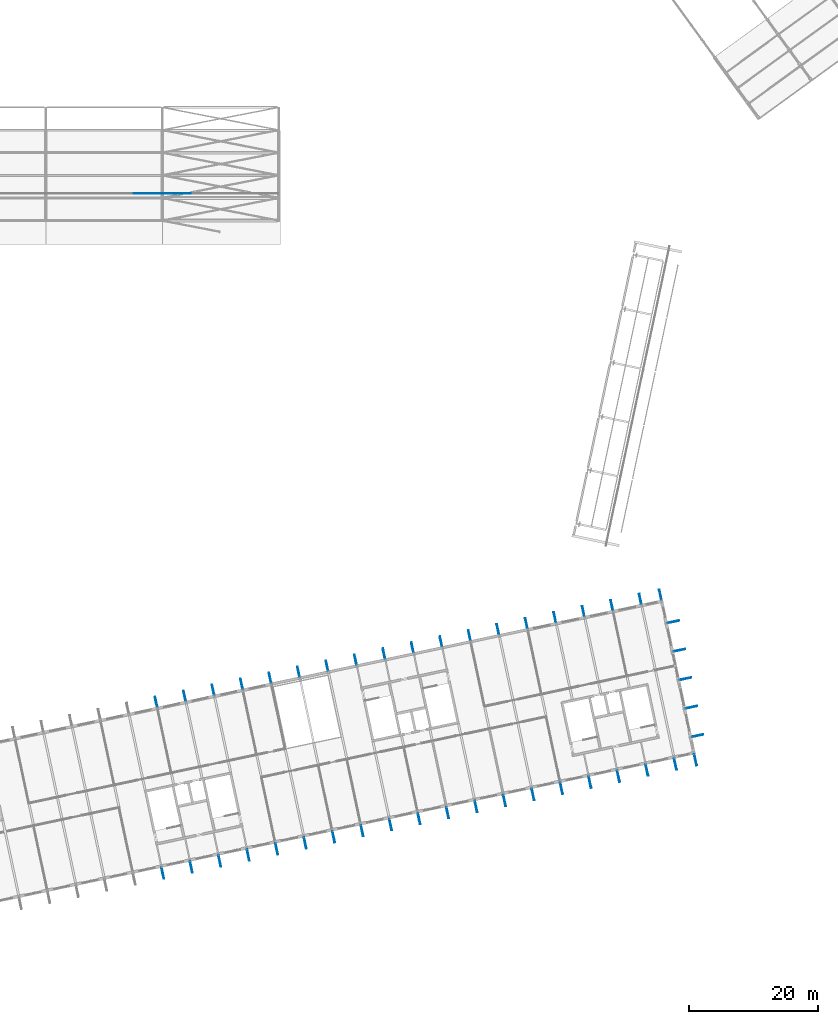
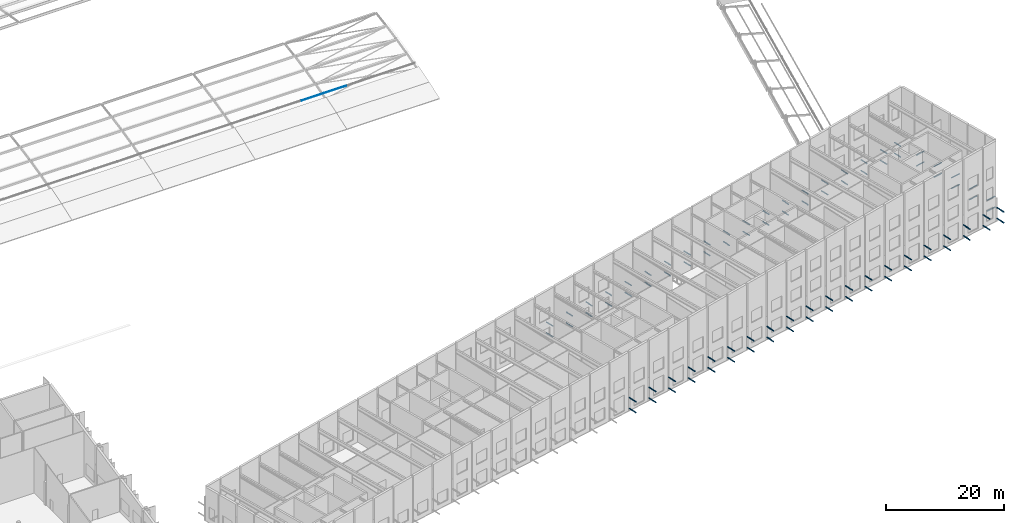
# One storey, part 53 of 69: 90 discrete accessories.
"""IFC4 building model written with IfcOpenShell, lengths in metres."""

from ifc_helpers import new_model, si_unit, direction, frame, origin, origin_2d, place, context, subcontext, project, spatial, polyline, rectangle, outline, extrude, material, material_profile, profile_set, type_object, element, save


model = new_model("IFC4")

# Units and contexts
model_context = context("Model", 3, precision=1e-05, world=origin(), true_north=direction((0.0, 1.0)))
body_context = subcontext(model_context, "Body", "Model", "MODEL_VIEW")
ifc_project = project(units=[si_unit("LENGTHUNIT", "METRE"), si_unit("AREAUNIT", "SQUARE_METRE"), si_unit("VOLUMEUNIT", "CUBIC_METRE"), si_unit("PLANEANGLEUNIT", "RADIAN"), si_unit("MASSUNIT", "GRAM", prefix="KILO")], contexts=[model_context])

# Site, building, storey
site_placement = place(None, origin())
site = spatial("IfcSite", under=ifc_project, at=site_placement, CompositionType="ELEMENT")
building_placement = place(site_placement, origin())
building = spatial("IfcBuilding", under=site, at=building_placement, Name="Okhra Congress Centre", CompositionType="ELEMENT")
storey_placement = place(building_placement, frame((0.0, 0.0, 16.800048828125)))
storey = spatial("IfcBuildingStorey", under=building, at=storey_placement, Name="L03", CompositionType="ELEMENT", Elevation=16.800048828125)

# Discrete accessories
ifc_material_1 = material(Name="Steel S355J2 outrigger, galvanised", Category="steel")
ifc_material_profile = material_profile(ifc_material_1, rectangle(XDim=0.1201171875, YDim=0.1201171875, at=origin_2d()), Name="Screen outrigger bracket 120x120")
ifc_profile_set = profile_set([ifc_material_profile], Name="Steel S355J2 outrigger, galvanised")
discrete_accessory_type_1 = type_object("IfcDiscreteAccessoryType", Name="Screen outrigger bracket 120x120", PredefinedType="BRACKET", material=ifc_profile_set)
for number, where, z_axis, x_axis, name in (
    (1, (135.885009765625, 42.499267578125, 0.510009765625), (0.207913352163, -0.978147247602, 0.0), (0.978147247602, 0.207913352163, 0.0), "Screen outrigger 283"),
    (2, (135.885009765625, 42.499267578125, 2.75), (0.207913352163, -0.978147247602, 0.0), (0.978147247602, 0.207913352163, 0.0), "Screen outrigger 284"),
    (3, (140.28662109375, 43.434814453125, 0.510009765625), (0.207913352163, -0.978147247602, 0.0), (0.978147247602, 0.207913352163, 0.0), "Screen outrigger 301"),
    (4, (140.28662109375, 43.434814453125, 2.75), (0.207913352163, -0.978147247602, 0.0), (0.978147247602, 0.207913352163, 0.0), "Screen outrigger 302"),
):
    element("IfcDiscreteAccessory", number, at=place(storey_placement, frame(where, z_axis=z_axis, x_axis=x_axis)), inside=storey, type_object=discrete_accessory_type_1, Name=name, PredefinedType="BRACKET", context=body_context, shape_type="SweptSolid", body=[
        extrude(rectangle(XDim=0.1201171875, YDim=0.1201171875, at=origin_2d()), origin(), (0.0, 0.0, 1.0), 1.764892578125),
    ])
for number, where, z_axis, x_axis, name in (
    (5, (135.205322265625, 67.3408203125, 0.510009765625), (-0.207952044176, 0.978139022493, 0.0), (-0.978139022493, -0.207952044176, 0.0), "Screen outrigger 310"),
    (6, (135.205322265625, 67.3408203125, 2.75), (-0.207952044176, 0.978139022493, 0.0), (-0.978139022493, -0.207952044176, 0.0), "Screen outrigger 311"),
):
    element("IfcDiscreteAccessory", number, at=place(storey_placement, frame(where, z_axis=z_axis, x_axis=x_axis)), inside=storey, type_object=discrete_accessory_type_1, Name=name, PredefinedType="BRACKET", context=body_context, shape_type="SweptSolid", body=[
        extrude(rectangle(XDim=0.1201171875, YDim=0.1201171875, at=origin_2d()), origin(), (0.0, 0.0, 1.0), 1.56494140625),
    ])
for number, where, z_axis, x_axis, name in (
    (7, (144.688232421875, 44.37060546875, 0.510009765625), (0.208017553693, -0.978125092897, 0.0), (0.978125092897, 0.208017553693, 0.0), "Screen outrigger 319"),
    (8, (144.688232421875, 44.37060546875, 2.75), (0.208017553693, -0.978125092897, 0.0), (0.978125092897, 0.208017553693, 0.0), "Screen outrigger 320"),
):
    element("IfcDiscreteAccessory", number, at=place(storey_placement, frame(where, z_axis=z_axis, x_axis=x_axis)), inside=storey, type_object=discrete_accessory_type_1, Name=name, PredefinedType="BRACKET", context=body_context, shape_type="SweptSolid", body=[
        extrude(rectangle(XDim=0.1201171875, YDim=0.1201171875, at=origin_2d()), origin(), (0.0, 0.0, 1.0), 1.76513671875),
    ])
for number, where, z_axis, x_axis, name in (
    (9, (139.60693359375, 68.2763671875, 0.510009765625), (-0.207952044176, 0.978139022493, 0.0), (-0.978139022493, -0.207952044176, 0.0), "Screen outrigger 329"),
    (10, (139.60693359375, 68.2763671875, 2.75), (-0.207952044176, 0.978139022493, 0.0), (-0.978139022493, -0.207952044176, 0.0), "Screen outrigger 330"),
):
    element("IfcDiscreteAccessory", number, at=place(storey_placement, frame(where, z_axis=z_axis, x_axis=x_axis)), inside=storey, type_object=discrete_accessory_type_1, Name=name, PredefinedType="BRACKET", context=body_context, shape_type="SweptSolid", body=[
        extrude(rectangle(XDim=0.1201171875, YDim=0.1201171875, at=origin_2d()), origin(), (0.0, 0.0, 1.0), 1.56494140625),
    ])
for number, where, z_axis, x_axis, name in (
    (11, (149.090087890625, 45.30615234375, 0.510009765625), (0.207885223274, -0.97815322621, 0.0), (0.97815322621, 0.207885223274, 0.0), "Screen outrigger 338"),
    (12, (149.090087890625, 45.30615234375, 2.75), (0.207885223274, -0.97815322621, 0.0), (0.97815322621, 0.207885223274, 0.0), "Screen outrigger 339"),
):
    element("IfcDiscreteAccessory", number, at=place(storey_placement, frame(where, z_axis=z_axis, x_axis=x_axis)), inside=storey, type_object=discrete_accessory_type_1, Name=name, PredefinedType="BRACKET", context=body_context, shape_type="SweptSolid", body=[
        extrude(rectangle(XDim=0.1201171875, YDim=0.1201171875, at=origin_2d()), origin(), (0.0, 0.0, 1.0), 1.76513671875),
    ])
for number, where, z_axis, x_axis, name in (
    (13, (144.008544921875, 69.2119140625, 0.510009765625), (-0.207771073578, 0.978177479287, 0.0), (-0.978177479287, -0.207771073578, 0.0), "Screen outrigger 348"),
    (14, (144.008544921875, 69.2119140625, 2.75), (-0.207771073578, 0.978177479287, 0.0), (-0.978177479287, -0.207771073578, 0.0), "Screen outrigger 349"),
):
    element("IfcDiscreteAccessory", number, at=place(storey_placement, frame(where, z_axis=z_axis, x_axis=x_axis)), inside=storey, type_object=discrete_accessory_type_1, Name=name, PredefinedType="BRACKET", context=body_context, shape_type="SweptSolid", body=[
        extrude(rectangle(XDim=0.1201171875, YDim=0.1201171875, at=origin_2d()), origin(), (0.0, 0.0, 1.0), 1.565185546875),
    ])
for number, where, z_axis, x_axis, name in (
    (15, (153.49169921875, 46.24169921875, 0.510009765625), (0.207913352163, -0.978147247602, 0.0), (0.978147247602, 0.207913352163, 0.0), "Screen outrigger 357"),
    (16, (153.49169921875, 46.24169921875, 2.75), (0.207913352163, -0.978147247602, 0.0), (0.978147247602, 0.207913352163, 0.0), "Screen outrigger 358"),
):
    element("IfcDiscreteAccessory", number, at=place(storey_placement, frame(where, z_axis=z_axis, x_axis=x_axis)), inside=storey, type_object=discrete_accessory_type_1, Name=name, PredefinedType="BRACKET", context=body_context, shape_type="SweptSolid", body=[
        extrude(rectangle(XDim=0.1201171875, YDim=0.1201171875, at=origin_2d()), origin(), (0.0, 0.0, 1.0), 1.764892578125),
    ])
for number, where, z_axis, x_axis, name in (
    (17, (148.410400390625, 70.147705078125, 0.510009765625), (-0.207952044176, 0.978139022493, 0.0), (-0.978139022493, -0.207952044176, 0.0), "Screen outrigger 367"),
    (18, (148.410400390625, 70.147705078125, 2.75), (-0.207952044176, 0.978139022493, 0.0), (-0.978139022493, -0.207952044176, 0.0), "Screen outrigger 368"),
):
    element("IfcDiscreteAccessory", number, at=place(storey_placement, frame(where, z_axis=z_axis, x_axis=x_axis)), inside=storey, type_object=discrete_accessory_type_1, Name=name, PredefinedType="BRACKET", context=body_context, shape_type="SweptSolid", body=[
        extrude(rectangle(XDim=0.1201171875, YDim=0.1201171875, at=origin_2d()), origin(), (0.0, 0.0, 1.0), 1.56494140625),
    ])
for number, where, z_axis, x_axis, name in (
    (19, (157.893310546875, 47.17724609375, 0.510009765625), (0.207913352163, -0.978147247602, 0.0), (0.978147247602, 0.207913352163, 0.0), "Screen outrigger 376"),
    (20, (157.893310546875, 47.17724609375, 2.75), (0.207913352163, -0.978147247602, 0.0), (0.978147247602, 0.207913352163, 0.0), "Screen outrigger 377"),
):
    element("IfcDiscreteAccessory", number, at=place(storey_placement, frame(where, z_axis=z_axis, x_axis=x_axis)), inside=storey, type_object=discrete_accessory_type_1, Name=name, PredefinedType="BRACKET", context=body_context, shape_type="SweptSolid", body=[
        extrude(rectangle(XDim=0.1201171875, YDim=0.1201171875, at=origin_2d()), origin(), (0.0, 0.0, 1.0), 1.764892578125),
    ])
for number, where, z_axis, x_axis, name in (
    (21, (152.81201171875, 71.083251953125, 0.510009765625), (-0.207952044176, 0.978139022493, 0.0), (-0.978139022493, -0.207952044176, 0.0), "Screen outrigger 386"),
    (22, (152.81201171875, 71.083251953125, 2.75), (-0.207952044176, 0.978139022493, 0.0), (-0.978139022493, -0.207952044176, 0.0), "Screen outrigger 387"),
):
    element("IfcDiscreteAccessory", number, at=place(storey_placement, frame(where, z_axis=z_axis, x_axis=x_axis)), inside=storey, type_object=discrete_accessory_type_1, Name=name, PredefinedType="BRACKET", context=body_context, shape_type="SweptSolid", body=[
        extrude(rectangle(XDim=0.1201171875, YDim=0.1201171875, at=origin_2d()), origin(), (0.0, 0.0, 1.0), 1.56494140625),
    ])
for number, where, z_axis, x_axis, name in (
    (23, (162.294921875, 48.11279296875, 0.510009765625), (0.207913352163, -0.978147247602, 0.0), (0.978147247602, 0.207913352163, 0.0), "Screen outrigger 395"),
    (24, (162.294921875, 48.11279296875, 2.75), (0.207913352163, -0.978147247602, 0.0), (0.978147247602, 0.207913352163, 0.0), "Screen outrigger 396"),
):
    element("IfcDiscreteAccessory", number, at=place(storey_placement, frame(where, z_axis=z_axis, x_axis=x_axis)), inside=storey, type_object=discrete_accessory_type_1, Name=name, PredefinedType="BRACKET", context=body_context, shape_type="SweptSolid", body=[
        extrude(rectangle(XDim=0.1201171875, YDim=0.1201171875, at=origin_2d()), origin(), (0.0, 0.0, 1.0), 1.764892578125),
    ])
for number, where, z_axis, x_axis, name in (
    (25, (157.213623046875, 72.018798828125, 0.510009765625), (-0.207952044176, 0.978139022493, 0.0), (-0.978139022493, -0.207952044176, 0.0), "Screen outrigger 405"),
    (26, (157.213623046875, 72.018798828125, 2.75), (-0.207952044176, 0.978139022493, 0.0), (-0.978139022493, -0.207952044176, 0.0), "Screen outrigger 406"),
):
    element("IfcDiscreteAccessory", number, at=place(storey_placement, frame(where, z_axis=z_axis, x_axis=x_axis)), inside=storey, type_object=discrete_accessory_type_1, Name=name, PredefinedType="BRACKET", context=body_context, shape_type="SweptSolid", body=[
        extrude(rectangle(XDim=0.1201171875, YDim=0.1201171875, at=origin_2d()), origin(), (0.0, 0.0, 1.0), 1.56494140625),
    ])
for number, where, z_axis, x_axis, name in (
    (27, (166.69677734375, 49.048583984375, 0.510009765625), (0.207885223274, -0.97815322621, 0.0), (0.97815322621, 0.207885223274, 0.0), "Screen outrigger 414"),
    (28, (166.69677734375, 49.048583984375, 2.75), (0.207885223274, -0.97815322621, 0.0), (0.97815322621, 0.207885223274, 0.0), "Screen outrigger 415"),
):
    element("IfcDiscreteAccessory", number, at=place(storey_placement, frame(where, z_axis=z_axis, x_axis=x_axis)), inside=storey, type_object=discrete_accessory_type_1, Name=name, PredefinedType="BRACKET", context=body_context, shape_type="SweptSolid", body=[
        extrude(rectangle(XDim=0.1201171875, YDim=0.1201171875, at=origin_2d()), origin(), (0.0, 0.0, 1.0), 1.76513671875),
    ])
for number, where, z_axis, x_axis, name in (
    (29, (161.615234375, 72.954345703125, 0.510009765625), (-0.207771073578, 0.978177479287, 0.0), (-0.978177479287, -0.207771073578, 0.0), "Screen outrigger 424"),
    (30, (161.615234375, 72.954345703125, 2.75), (-0.207771073578, 0.978177479287, 0.0), (-0.978177479287, -0.207771073578, 0.0), "Screen outrigger 425"),
):
    element("IfcDiscreteAccessory", number, at=place(storey_placement, frame(where, z_axis=z_axis, x_axis=x_axis)), inside=storey, type_object=discrete_accessory_type_1, Name=name, PredefinedType="BRACKET", context=body_context, shape_type="SweptSolid", body=[
        extrude(rectangle(XDim=0.1201171875, YDim=0.1201171875, at=origin_2d()), origin(), (0.0, 0.0, 1.0), 1.565185546875),
    ])
for number, where, z_axis, x_axis, name in (
    (31, (171.098388671875, 49.984130859375, 0.510009765625), (0.207885223274, -0.97815322621, 0.0), (0.97815322621, 0.207885223274, 0.0), "Screen outrigger 433"),
    (32, (171.098388671875, 49.984130859375, 2.75), (0.207885223274, -0.97815322621, 0.0), (0.97815322621, 0.207885223274, 0.0), "Screen outrigger 434"),
):
    element("IfcDiscreteAccessory", number, at=place(storey_placement, frame(where, z_axis=z_axis, x_axis=x_axis)), inside=storey, type_object=discrete_accessory_type_1, Name=name, PredefinedType="BRACKET", context=body_context, shape_type="SweptSolid", body=[
        extrude(rectangle(XDim=0.1201171875, YDim=0.1201171875, at=origin_2d()), origin(), (0.0, 0.0, 1.0), 1.76513671875),
    ])
for number, where, z_axis, x_axis, name in (
    (33, (166.01708984375, 73.89013671875, 0.510009765625), (-0.207952044176, 0.978139022493, 0.0), (-0.978139022493, -0.207952044176, 0.0), "Screen outrigger 443"),
    (34, (166.01708984375, 73.89013671875, 2.75), (-0.207952044176, 0.978139022493, 0.0), (-0.978139022493, -0.207952044176, 0.0), "Screen outrigger 444"),
):
    element("IfcDiscreteAccessory", number, at=place(storey_placement, frame(where, z_axis=z_axis, x_axis=x_axis)), inside=storey, type_object=discrete_accessory_type_1, Name=name, PredefinedType="BRACKET", context=body_context, shape_type="SweptSolid", body=[
        extrude(rectangle(XDim=0.1201171875, YDim=0.1201171875, at=origin_2d()), origin(), (0.0, 0.0, 1.0), 1.56494140625),
    ])
for number, where, z_axis, x_axis, name in (
    (35, (175.5, 50.919677734375, 0.510009765625), (0.207913352163, -0.978147247602, 0.0), (0.978147247602, 0.207913352163, 0.0), "Screen outrigger 453"),
    (36, (175.5, 50.919677734375, 2.75), (0.207913352163, -0.978147247602, 0.0), (0.978147247602, 0.207913352163, 0.0), "Screen outrigger 454"),
):
    element("IfcDiscreteAccessory", number, at=place(storey_placement, frame(where, z_axis=z_axis, x_axis=x_axis)), inside=storey, type_object=discrete_accessory_type_1, Name=name, PredefinedType="BRACKET", context=body_context, shape_type="SweptSolid", body=[
        extrude(rectangle(XDim=0.1201171875, YDim=0.1201171875, at=origin_2d()), origin(), (0.0, 0.0, 1.0), 1.764892578125),
    ])
for number, where, z_axis, x_axis, name in (
    (37, (170.418701171875, 74.82568359375, 0.510009765625), (-0.207952044176, 0.978139022493, 0.0), (-0.978139022493, -0.207952044176, 0.0), "Screen outrigger 463"),
    (38, (170.418701171875, 74.82568359375, 2.75), (-0.207952044176, 0.978139022493, 0.0), (-0.978139022493, -0.207952044176, 0.0), "Screen outrigger 464"),
):
    element("IfcDiscreteAccessory", number, at=place(storey_placement, frame(where, z_axis=z_axis, x_axis=x_axis)), inside=storey, type_object=discrete_accessory_type_1, Name=name, PredefinedType="BRACKET", context=body_context, shape_type="SweptSolid", body=[
        extrude(rectangle(XDim=0.1201171875, YDim=0.1201171875, at=origin_2d()), origin(), (0.0, 0.0, 1.0), 1.56494140625),
    ])
for number, where, z_axis, x_axis, name in (
    (39, (179.901611328125, 51.855224609375, 0.510009765625), (0.207913352163, -0.978147247602, 0.0), (0.978147247602, 0.207913352163, 0.0), "Screen outrigger 473"),
    (40, (179.901611328125, 51.855224609375, 2.75), (0.207913352163, -0.978147247602, 0.0), (0.978147247602, 0.207913352163, 0.0), "Screen outrigger 474"),
):
    element("IfcDiscreteAccessory", number, at=place(storey_placement, frame(where, z_axis=z_axis, x_axis=x_axis)), inside=storey, type_object=discrete_accessory_type_1, Name=name, PredefinedType="BRACKET", context=body_context, shape_type="SweptSolid", body=[
        extrude(rectangle(XDim=0.1201171875, YDim=0.1201171875, at=origin_2d()), origin(), (0.0, 0.0, 1.0), 1.764892578125),
    ])
for number, where, z_axis, x_axis, name in (
    (41, (174.8203125, 75.76123046875, 0.510009765625), (-0.207952044176, 0.978139022493, 0.0), (-0.978139022493, -0.207952044176, 0.0), "Screen outrigger 483"),
    (42, (174.8203125, 75.76123046875, 2.75), (-0.207952044176, 0.978139022493, 0.0), (-0.978139022493, -0.207952044176, 0.0), "Screen outrigger 484"),
):
    element("IfcDiscreteAccessory", number, at=place(storey_placement, frame(where, z_axis=z_axis, x_axis=x_axis)), inside=storey, type_object=discrete_accessory_type_1, Name=name, PredefinedType="BRACKET", context=body_context, shape_type="SweptSolid", body=[
        extrude(rectangle(XDim=0.1201171875, YDim=0.1201171875, at=origin_2d()), origin(), (0.0, 0.0, 1.0), 1.56494140625),
    ])
for number, where, z_axis, x_axis, name in (
    (43, (184.30322265625, 52.791015625, 0.510009765625), (0.208017553693, -0.978125092897, 0.0), (0.978125092897, 0.208017553693, 0.0), "Screen outrigger 493"),
    (44, (184.30322265625, 52.791015625, 2.75), (0.208017553693, -0.978125092897, 0.0), (0.978125092897, 0.208017553693, 0.0), "Screen outrigger 494"),
):
    element("IfcDiscreteAccessory", number, at=place(storey_placement, frame(where, z_axis=z_axis, x_axis=x_axis)), inside=storey, type_object=discrete_accessory_type_1, Name=name, PredefinedType="BRACKET", context=body_context, shape_type="SweptSolid", body=[
        extrude(rectangle(XDim=0.1201171875, YDim=0.1201171875, at=origin_2d()), origin(), (0.0, 0.0, 1.0), 1.76513671875),
    ])
for number, where, z_axis, x_axis, name in (
    (45, (179.221923828125, 76.69677734375, 0.510009765625), (-0.207952044176, 0.978139022493, 0.0), (-0.978139022493, -0.207952044176, 0.0), "Screen outrigger 504"),
    (46, (179.221923828125, 76.69677734375, 2.75), (-0.207952044176, 0.978139022493, 0.0), (-0.978139022493, -0.207952044176, 0.0), "Screen outrigger 505"),
):
    element("IfcDiscreteAccessory", number, at=place(storey_placement, frame(where, z_axis=z_axis, x_axis=x_axis)), inside=storey, type_object=discrete_accessory_type_1, Name=name, PredefinedType="BRACKET", context=body_context, shape_type="SweptSolid", body=[
        extrude(rectangle(XDim=0.1201171875, YDim=0.1201171875, at=origin_2d()), origin(), (0.0, 0.0, 1.0), 1.56494140625),
    ])
for number, where, z_axis, x_axis, name in (
    (47, (188.705078125, 53.7265625, 0.510009765625), (0.207885223274, -0.97815322621, 0.0), (0.97815322621, 0.207885223274, 0.0), "Screen outrigger 514"),
    (48, (188.705078125, 53.7265625, 2.75), (0.207885223274, -0.97815322621, 0.0), (0.97815322621, 0.207885223274, 0.0), "Screen outrigger 515"),
):
    element("IfcDiscreteAccessory", number, at=place(storey_placement, frame(where, z_axis=z_axis, x_axis=x_axis)), inside=storey, type_object=discrete_accessory_type_1, Name=name, PredefinedType="BRACKET", context=body_context, shape_type="SweptSolid", body=[
        extrude(rectangle(XDim=0.1201171875, YDim=0.1201171875, at=origin_2d()), origin(), (0.0, 0.0, 1.0), 1.76513671875),
    ])
for number, where, z_axis, x_axis, name in (
    (49, (183.62353515625, 77.632568359375, 0.510009765625), (-0.207802780084, 0.978170744088, 0.0), (-0.978170744088, -0.207802780084, 0.0), "Screen outrigger 525"),
    (50, (183.62353515625, 77.632568359375, 2.75), (-0.207802780084, 0.978170744088, 0.0), (-0.978170744088, -0.207802780084, 0.0), "Screen outrigger 526"),
):
    element("IfcDiscreteAccessory", number, at=place(storey_placement, frame(where, z_axis=z_axis, x_axis=x_axis)), inside=storey, type_object=discrete_accessory_type_1, Name=name, PredefinedType="BRACKET", context=body_context, shape_type="SweptSolid", body=[
        extrude(rectangle(XDim=0.1201171875, YDim=0.1201171875, at=origin_2d()), origin(), (0.0, 0.0, 1.0), 1.56494140625),
    ])
for number, where, z_axis, x_axis, name in (
    (51, (193.106689453125, 54.662109375, 0.510009765625), (0.207913352163, -0.978147247602, 0.0), (0.978147247602, 0.207913352163, 0.0), "Screen outrigger 535"),
    (52, (193.106689453125, 54.662109375, 2.75), (0.207913352163, -0.978147247602, 0.0), (0.978147247602, 0.207913352163, 0.0), "Screen outrigger 536"),
):
    element("IfcDiscreteAccessory", number, at=place(storey_placement, frame(where, z_axis=z_axis, x_axis=x_axis)), inside=storey, type_object=discrete_accessory_type_1, Name=name, PredefinedType="BRACKET", context=body_context, shape_type="SweptSolid", body=[
        extrude(rectangle(XDim=0.1201171875, YDim=0.1201171875, at=origin_2d()), origin(), (0.0, 0.0, 1.0), 1.764892578125),
    ])
for number, where, z_axis, x_axis, name in (
    (53, (188.025390625, 78.568115234375, 0.510009765625), (-0.207952044176, 0.978139022493, 0.0), (-0.978139022493, -0.207952044176, 0.0), "Screen outrigger 546"),
    (54, (188.025390625, 78.568115234375, 2.75), (-0.207952044176, 0.978139022493, 0.0), (-0.978139022493, -0.207952044176, 0.0), "Screen outrigger 547"),
):
    element("IfcDiscreteAccessory", number, at=place(storey_placement, frame(where, z_axis=z_axis, x_axis=x_axis)), inside=storey, type_object=discrete_accessory_type_1, Name=name, PredefinedType="BRACKET", context=body_context, shape_type="SweptSolid", body=[
        extrude(rectangle(XDim=0.1201171875, YDim=0.1201171875, at=origin_2d()), origin(), (0.0, 0.0, 1.0), 1.56494140625),
    ])
for number, where, z_axis, x_axis, name in (
    (55, (197.50830078125, 55.59765625, 0.510009765625), (0.207913352163, -0.978147247602, 0.0), (0.978147247602, 0.207913352163, 0.0), "Screen outrigger 556"),
    (56, (197.50830078125, 55.59765625, 2.75), (0.207913352163, -0.978147247602, 0.0), (0.978147247602, 0.207913352163, 0.0), "Screen outrigger 557"),
):
    element("IfcDiscreteAccessory", number, at=place(storey_placement, frame(where, z_axis=z_axis, x_axis=x_axis)), inside=storey, type_object=discrete_accessory_type_1, Name=name, PredefinedType="BRACKET", context=body_context, shape_type="SweptSolid", body=[
        extrude(rectangle(XDim=0.1201171875, YDim=0.1201171875, at=origin_2d()), origin(), (0.0, 0.0, 1.0), 1.764892578125),
    ])
for number, where, z_axis, x_axis, name in (
    (57, (192.427001953125, 79.503662109375, 0.510009765625), (-0.207952044176, 0.978139022493, 0.0), (-0.978139022493, -0.207952044176, 0.0), "Screen outrigger 567"),
    (58, (192.427001953125, 79.503662109375, 2.75), (-0.207952044176, 0.978139022493, 0.0), (-0.978139022493, -0.207952044176, 0.0), "Screen outrigger 568"),
):
    element("IfcDiscreteAccessory", number, at=place(storey_placement, frame(where, z_axis=z_axis, x_axis=x_axis)), inside=storey, type_object=discrete_accessory_type_1, Name=name, PredefinedType="BRACKET", context=body_context, shape_type="SweptSolid", body=[
        extrude(rectangle(XDim=0.1201171875, YDim=0.1201171875, at=origin_2d()), origin(), (0.0, 0.0, 1.0), 1.56494140625),
    ])
for number, where, z_axis, x_axis, name in (
    (59, (201.909912109375, 56.533447265625, 0.510009765625), (0.207885223274, -0.97815322621, 0.0), (0.97815322621, 0.207885223274, 0.0), "Screen outrigger 577"),
    (60, (201.909912109375, 56.533447265625, 2.75), (0.207885223274, -0.97815322621, 0.0), (0.97815322621, 0.207885223274, 0.0), "Screen outrigger 578"),
):
    element("IfcDiscreteAccessory", number, at=place(storey_placement, frame(where, z_axis=z_axis, x_axis=x_axis)), inside=storey, type_object=discrete_accessory_type_1, Name=name, PredefinedType="BRACKET", context=body_context, shape_type="SweptSolid", body=[
        extrude(rectangle(XDim=0.1201171875, YDim=0.1201171875, at=origin_2d()), origin(), (0.0, 0.0, 1.0), 1.76513671875),
    ])
for number, where, z_axis, x_axis, name in (
    (61, (196.82861328125, 80.439208984375, 0.510009765625), (-0.207952044176, 0.978139022493, 0.0), (-0.978139022493, -0.207952044176, 0.0), "Screen outrigger 588"),
    (62, (196.82861328125, 80.439208984375, 2.75), (-0.207952044176, 0.978139022493, 0.0), (-0.978139022493, -0.207952044176, 0.0), "Screen outrigger 589"),
):
    element("IfcDiscreteAccessory", number, at=place(storey_placement, frame(where, z_axis=z_axis, x_axis=x_axis)), inside=storey, type_object=discrete_accessory_type_1, Name=name, PredefinedType="BRACKET", context=body_context, shape_type="SweptSolid", body=[
        extrude(rectangle(XDim=0.1201171875, YDim=0.1201171875, at=origin_2d()), origin(), (0.0, 0.0, 1.0), 1.56494140625),
    ])
for number, where, z_axis, x_axis, name in (
    (63, (206.311767578125, 57.468994140625, 0.510009765625), (0.207885223274, -0.97815322621, 0.0), (0.97815322621, 0.207885223274, 0.0), "Screen outrigger 598"),
    (64, (206.311767578125, 57.468994140625, 2.75), (0.207885223274, -0.97815322621, 0.0), (0.97815322621, 0.207885223274, 0.0), "Screen outrigger 599"),
):
    element("IfcDiscreteAccessory", number, at=place(storey_placement, frame(where, z_axis=z_axis, x_axis=x_axis)), inside=storey, type_object=discrete_accessory_type_1, Name=name, PredefinedType="BRACKET", context=body_context, shape_type="SweptSolid", body=[
        extrude(rectangle(XDim=0.1201171875, YDim=0.1201171875, at=origin_2d()), origin(), (0.0, 0.0, 1.0), 1.76513671875),
    ])
for number, where, z_axis, x_axis, name in (
    (65, (201.230224609375, 81.374755859375, 0.510009765625), (-0.207920316953, 0.978145767152, 0.0), (-0.978145767152, -0.207920316953, 0.0), "Screen outrigger 609"),
    (66, (201.230224609375, 81.374755859375, 2.75), (-0.207920316953, 0.978145767152, 0.0), (-0.978145767152, -0.207920316953, 0.0), "Screen outrigger 610"),
):
    element("IfcDiscreteAccessory", number, at=place(storey_placement, frame(where, z_axis=z_axis, x_axis=x_axis)), inside=storey, type_object=discrete_accessory_type_1, Name=name, PredefinedType="BRACKET", context=body_context, shape_type="SweptSolid", body=[
        extrude(rectangle(XDim=0.1201171875, YDim=0.1201171875, at=origin_2d()), origin(), (0.0, 0.0, 1.0), 1.565185546875),
    ])
for number, where, z_axis, x_axis, name in (
    (67, (210.71337890625, 58.404541015625, 0.510009765625), (0.207913352163, -0.978147247602, 0.0), (0.978147247602, 0.207913352163, 0.0), "Screen outrigger 620"),
    (68, (210.71337890625, 58.404541015625, 2.75), (0.207913352163, -0.978147247602, 0.0), (0.978147247602, 0.207913352163, 0.0), "Screen outrigger 621"),
):
    element("IfcDiscreteAccessory", number, at=place(storey_placement, frame(where, z_axis=z_axis, x_axis=x_axis)), inside=storey, type_object=discrete_accessory_type_1, Name=name, PredefinedType="BRACKET", context=body_context, shape_type="SweptSolid", body=[
        extrude(rectangle(XDim=0.1201171875, YDim=0.1201171875, at=origin_2d()), origin(), (0.0, 0.0, 1.0), 1.764892578125),
    ])
for number, where, z_axis, x_axis, name in (
    (69, (205.6318359375, 82.310546875, 0.510009765625), (-0.207802780084, 0.978170744088, 0.0), (-0.978170744088, -0.207802780084, 0.0), "Screen outrigger 631"),
    (70, (205.6318359375, 82.310546875, 2.75), (-0.207802780084, 0.978170744088, 0.0), (-0.978170744088, -0.207802780084, 0.0), "Screen outrigger 632"),
):
    element("IfcDiscreteAccessory", number, at=place(storey_placement, frame(where, z_axis=z_axis, x_axis=x_axis)), inside=storey, type_object=discrete_accessory_type_1, Name=name, PredefinedType="BRACKET", context=body_context, shape_type="SweptSolid", body=[
        extrude(rectangle(XDim=0.1201171875, YDim=0.1201171875, at=origin_2d()), origin(), (0.0, 0.0, 1.0), 1.56494140625),
    ])
for number, where, z_axis, x_axis, name in (
    (71, (215.114990234375, 59.340087890625, 0.510009765625), (0.207913352163, -0.978147247602, 0.0), (0.978147247602, 0.207913352163, 0.0), "Screen outrigger 642"),
    (72, (215.114990234375, 59.340087890625, 2.75), (0.207913352163, -0.978147247602, 0.0), (0.978147247602, 0.207913352163, 0.0), "Screen outrigger 643"),
):
    element("IfcDiscreteAccessory", number, at=place(storey_placement, frame(where, z_axis=z_axis, x_axis=x_axis)), inside=storey, type_object=discrete_accessory_type_1, Name=name, PredefinedType="BRACKET", context=body_context, shape_type="SweptSolid", body=[
        extrude(rectangle(XDim=0.1201171875, YDim=0.1201171875, at=origin_2d()), origin(), (0.0, 0.0, 1.0), 1.764892578125),
    ])
for number, where, z_axis, x_axis, name in (
    (73, (210.03369140625, 83.24609375, 0.510009765625), (-0.207952044176, 0.978139022493, 0.0), (-0.978139022493, -0.207952044176, 0.0), "Screen outrigger 653"),
    (74, (210.03369140625, 83.24609375, 2.75), (-0.207952044176, 0.978139022493, 0.0), (-0.978139022493, -0.207952044176, 0.0), "Screen outrigger 654"),
):
    element("IfcDiscreteAccessory", number, at=place(storey_placement, frame(where, z_axis=z_axis, x_axis=x_axis)), inside=storey, type_object=discrete_accessory_type_1, Name=name, PredefinedType="BRACKET", context=body_context, shape_type="SweptSolid", body=[
        extrude(rectangle(XDim=0.1201171875, YDim=0.1201171875, at=origin_2d()), origin(), (0.0, 0.0, 1.0), 1.56494140625),
    ])
for number, where, z_axis, x_axis, name in (
    (75, (218.220703125, 60.000244140625, 0.510009765625), (0.207913352163, -0.978147247602, 0.0), (0.978147247602, 0.207913352163, 0.0), "Screen outrigger 664"),
    (76, (218.220703125, 60.000244140625, 2.75), (0.207913352163, -0.978147247602, 0.0), (0.978147247602, 0.207913352163, 0.0), "Screen outrigger 665"),
):
    element("IfcDiscreteAccessory", number, at=place(storey_placement, frame(where, z_axis=z_axis, x_axis=x_axis)), inside=storey, type_object=discrete_accessory_type_1, Name=name, PredefinedType="BRACKET", context=body_context, shape_type="SweptSolid", body=[
        extrude(rectangle(XDim=0.1201171875, YDim=0.1201171875, at=origin_2d()), origin(), (0.0, 0.0, 1.0), 1.764892578125),
    ])
for number, where, z_axis, x_axis, name in (
    (77, (213.13916015625, 83.90625, 0.510009765625), (-0.207802780084, 0.978170744088, 0.0), (-0.978170744088, -0.207802780084, 0.0), "Screen outrigger 675"),
    (78, (213.13916015625, 83.90625, 2.75), (-0.207802780084, 0.978170744088, 0.0), (-0.978170744088, -0.207802780084, 0.0), "Screen outrigger 676"),
):
    element("IfcDiscreteAccessory", number, at=place(storey_placement, frame(where, z_axis=z_axis, x_axis=x_axis)), inside=storey, type_object=discrete_accessory_type_1, Name=name, PredefinedType="BRACKET", context=body_context, shape_type="SweptSolid", body=[
        extrude(rectangle(XDim=0.1201171875, YDim=0.1201171875, at=origin_2d()), origin(), (0.0, 0.0, 1.0), 1.56494140625),
    ])
for number, where, z_axis, x_axis, name in (
    (79, (217.871337890625, 62.70166015625, 0.510009765625), (0.978147247602, 0.207913352163, 0.0), (-0.207913352163, 0.978147247602, 0.0), "Screen outrigger 694"),
    (80, (217.871337890625, 62.70166015625, 2.75), (0.978147247602, 0.207913352163, 0.0), (-0.207913352163, 0.978147247602, 0.0), "Screen outrigger 695"),
    (81, (216.935791015625, 67.103271484375, 0.510009765625), (0.978147247602, 0.207913352163, 0.0), (-0.207913352163, 0.978147247602, 0.0), "Screen outrigger 712"),
    (82, (216.935791015625, 67.103271484375, 2.75), (0.978147247602, 0.207913352163, 0.0), (-0.207913352163, 0.978147247602, 0.0), "Screen outrigger 713"),
):
    element("IfcDiscreteAccessory", number, at=place(storey_placement, frame(where, z_axis=z_axis, x_axis=x_axis)), inside=storey, type_object=discrete_accessory_type_1, Name=name, PredefinedType="BRACKET", context=body_context, shape_type="SweptSolid", body=[
        extrude(rectangle(XDim=0.1201171875, YDim=0.1201171875, at=origin_2d()), origin(), (0.0, 0.0, 1.0), 1.764892578125),
    ])
for number, where, z_axis, x_axis, name in (
    (83, (216.0, 71.5048828125, 0.510009765625), (0.978125092897, 0.208017553693, 0.0), (-0.208017553693, 0.978125092897, 0.0), "Screen outrigger 730"),
    (84, (216.0, 71.5048828125, 2.75), (0.978125092897, 0.208017553693, 0.0), (-0.208017553693, 0.978125092897, 0.0), "Screen outrigger 731"),
    (85, (215.064453125, 75.90673828125, 0.510009765625), (0.97815322621, 0.207885223274, 0.0), (-0.207885223274, 0.97815322621, 0.0), "Screen outrigger 748"),
    (86, (215.064453125, 75.90673828125, 2.75), (0.97815322621, 0.207885223274, 0.0), (-0.207885223274, 0.97815322621, 0.0), "Screen outrigger 749"),
):
    element("IfcDiscreteAccessory", number, at=place(storey_placement, frame(where, z_axis=z_axis, x_axis=x_axis)), inside=storey, type_object=discrete_accessory_type_1, Name=name, PredefinedType="BRACKET", context=body_context, shape_type="SweptSolid", body=[
        extrude(rectangle(XDim=0.1201171875, YDim=0.1201171875, at=origin_2d()), origin(), (0.0, 0.0, 1.0), 1.76513671875),
    ])
for number, where, z_axis, x_axis, name in (
    (87, (214.12890625, 80.308349609375, 0.510009765625), (0.978147247602, 0.207913352163, 0.0), (-0.207913352163, 0.978147247602, 0.0), "Screen outrigger 766"),
    (88, (214.12890625, 80.308349609375, 2.75), (0.978147247602, 0.207913352163, 0.0), (-0.207913352163, 0.978147247602, 0.0), "Screen outrigger 767"),
):
    element("IfcDiscreteAccessory", number, at=place(storey_placement, frame(where, z_axis=z_axis, x_axis=x_axis)), inside=storey, type_object=discrete_accessory_type_1, Name=name, PredefinedType="BRACKET", context=body_context, shape_type="SweptSolid", body=[
        extrude(rectangle(XDim=0.1201171875, YDim=0.1201171875, at=origin_2d()), origin(), (0.0, 0.0, 1.0), 1.764892578125),
    ])
ifc_material_2 = material(Name="Stainless steel snow retention bar clamped to the roof seams", Category="steel")
discrete_accessory_type_2 = type_object("IfcDiscreteAccessoryType", Name="Snow guard rail 50x120", PredefinedType="USERDEFINED", material=ifc_material_2)
for number, where, z_axis, x_axis, name in (
    (89, (131.60009765625, 146.657958984375, 2.7626953125), (0.0, -0.269104536854, 0.963110974003), (1.0, 0.0, 0.0), "Snow guard rail"),
    (90, (136.10009765625, 146.657958984375, 2.7626953125), (0.0, -0.269104536854, 0.963110974003), (1.0, 0.0, 0.0), "Snow guard rail"),
):
    element("IfcDiscreteAccessory", number, at=place(storey_placement, frame(where, z_axis=z_axis, x_axis=x_axis)), inside=storey, type_object=discrete_accessory_type_2, Name=name, ObjectType="SNOW GUARD", PredefinedType="USERDEFINED", context=body_context, shape_type="SweptSolid", body=[
        extrude(outline(polyline([(0.0, 0.0), (4.2998046875, 0.0), (4.2998046875, 0.05171230402764801), (0.0, 0.05171230402764801), (0.0, 0.0)])), origin(), (0.0, 0.0, -1.0), 0.1201171875),
    ])

save(model, "model.ifc")
